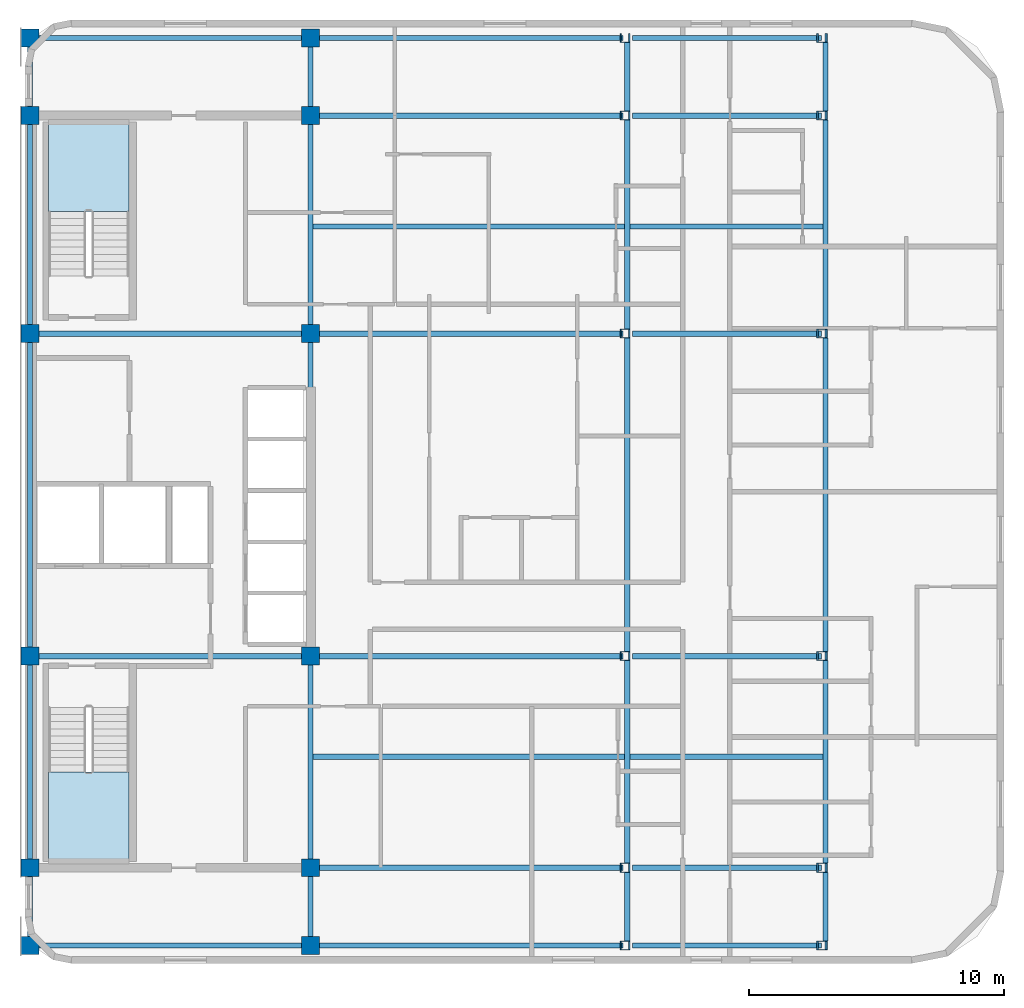
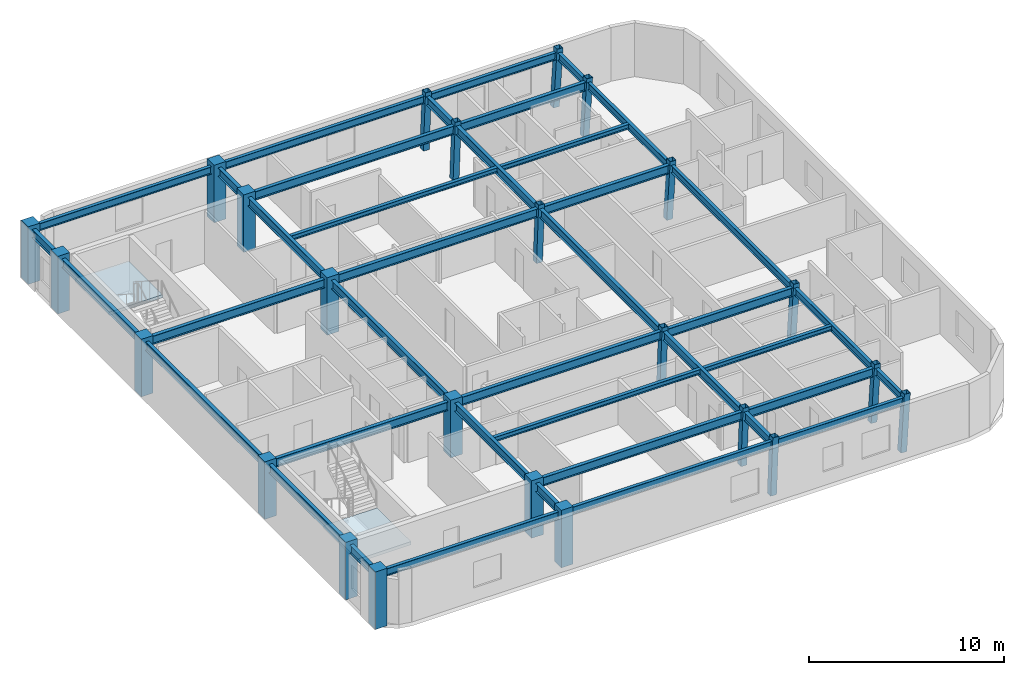
# One storey, part 1 of 7: 40 beams, 24 columns, 2 slabs, 2 elements without a shape of their own.
"""IFC4 building model written with IfcOpenShell, lengths in metres."""

import ifcopenshell
import ifcopenshell.guid

model = None  # the IFC model being written
_history = None  # IfcOwnerHistory: only IFC2X3 demands one
_inside = {}  # id of a spatial element -> (the spatial element, [elements in it])
_under = {}  # id of a project, library or spatial element -> (it, [spatial elements below it])
_declared = {}  # id of a project -> (the project, [libraries it declares])
_typed = {}  # id of a type object -> (the type object, [elements of that type])
_made_of = {}  # id of a material, layer set ... -> (it, [elements and type objects made of it])


def new_model(schema):
    """Start an empty IFC model of exactly this schema.

    Asked for "IFC4X3", IfcOpenShell would pick the latest addendum, in which some entities
    have other attributes; the version numbers below select the first issue.
    IFC2X3 requires an IfcOwnerHistory on every rooted entity: one is made here for all.
    """
    global model, _history
    if schema == "IFC4X3":
        model = ifcopenshell.file(schema_version=(4, 3, 0, 0))
    else:
        model = ifcopenshell.file(schema=schema)
    _inside.clear()
    _under.clear()
    _declared.clear()
    _typed.clear()
    _made_of.clear()
    _history = None
    if model.schema == "IFC2X3":
        org = make("IfcOrganization", Name="unknown")
        user = make(
            "IfcPersonAndOrganization",
            ThePerson=make("IfcPerson", FamilyName="unknown"),
            TheOrganization=org,
        )
        app = make(
            "IfcApplication",
            ApplicationDeveloper=org,
            Version="unknown",
            ApplicationFullName="unknown",
            ApplicationIdentifier="unknown",
        )
        _history = make(
            "IfcOwnerHistory",
            OwningUser=user,
            OwningApplication=app,
            ChangeAction="ADDED",
            CreationDate=0,
        )
    return model


def make(cls, **values):
    """One entity of the class cls with the attributes given. An attribute that is None is left unset."""
    return model.create_entity(
        cls, **{name: value for name, value in values.items() if value is not None}
    )


def rooted(cls, **values):
    """An entity with a GlobalId (a new one), such as an element, a storey or a relation."""
    return make(cls, GlobalId=ifcopenshell.guid.new(), OwnerHistory=_history, **values)


def si_unit(unit_type, name, prefix=None):
    """IfcSIUnit, for example si_unit("LENGTHUNIT", "METRE", prefix="MILLI")."""
    return make("IfcSIUnit", UnitType=unit_type, Prefix=prefix, Name=name)


def assignment(units):
    """IfcUnitAssignment: the units of a project."""
    return None if units is None else make("IfcUnitAssignment", Units=units)


def point(xyz):
    """IfcCartesianPoint."""
    return None if xyz is None else make("IfcCartesianPoint", Coordinates=xyz)


def direction(xyz):
    """IfcDirection."""
    return None if xyz is None else make("IfcDirection", DirectionRatios=xyz)


def frame(location, z_axis=None, x_axis=None):
    """IfcAxis2Placement3D, a coordinate frame: its origin and axes. An axis left out is left unset."""
    return make(
        "IfcAxis2Placement3D",
        Location=point(location),
        Axis=direction(z_axis),
        RefDirection=direction(x_axis),
    )


def frame_2d(location, x_axis=None):
    """IfcAxis2Placement2D, a coordinate frame in the plane: its origin and x axis."""
    return make(
        "IfcAxis2Placement2D", Location=point(location), RefDirection=direction(x_axis)
    )


def origin():
    """The frame at (0, 0, 0) with its axes left unset."""
    return frame((0.0, 0.0, 0.0))


def origin_2d():
    """The frame at (0, 0) in the plane with its x axis left unset."""
    return frame_2d((0.0, 0.0))


def place(relative_to, where):
    """IfcLocalPlacement: puts the frame where relative to a parent placement (None: the world)."""
    return make(
        "IfcLocalPlacement", PlacementRelTo=relative_to, RelativePlacement=where
    )


def context(
    kind, dimensions, precision=None, world=None, true_north=None, identifier=None
):
    """IfcGeometricRepresentationContext, for example the 3D "Model" context."""
    return make(
        "IfcGeometricRepresentationContext",
        ContextIdentifier=identifier,
        ContextType=kind,
        CoordinateSpaceDimension=dimensions,
        Precision=precision,
        WorldCoordinateSystem=world,
        TrueNorth=true_north,
    )


def subcontext(parent, identifier, kind, view, scale=None):
    """IfcGeometricRepresentationSubContext, for example "Body" below "Model"."""
    return make(
        "IfcGeometricRepresentationSubContext",
        ContextIdentifier=identifier,
        ContextType=kind,
        ParentContext=parent,
        TargetScale=scale,
        TargetView=view,
    )


def project(units=None, contexts=None):
    """IfcProject with its units and contexts."""
    return rooted(
        "IfcProject",
        Name="project",
        RepresentationContexts=contexts,
        UnitsInContext=assignment(units),
    )


def spatial(cls, under=None, at=None, **own):
    """A site, building, storey or space (cls), placed at a placement, below another one or the project."""
    s = rooted(cls, ObjectPlacement=at, **own)
    if under is not None:
        _under.setdefault(under.id(), (under, []))[1].append(s)
    return s


def polyline(points):
    """IfcPolyline through the points."""
    return make("IfcPolyline", Points=[point(p) for p in points])


def profile(cls, at=None, kind="AREA", **sizes):
    """A parametric profile (cls). Its sizes go by their IFC names, for example OverallWidth=200.0."""
    return make(cls, ProfileType=kind, Position=at, **sizes)


def rectangle(**sizes):
    """IfcRectangleProfileDef."""
    return profile("IfcRectangleProfileDef", **sizes)


def hollow_rectangle(**sizes):
    """IfcRectangleHollowProfileDef."""
    return profile("IfcRectangleHollowProfileDef", **sizes)


def i_section(**sizes):
    """IfcIShapeProfileDef."""
    return profile("IfcIShapeProfileDef", **sizes)


def outline(outer, holes=None, kind="AREA"):
    """IfcArbitraryClosedProfileDef: a profile drawn as a closed curve; with holes, ...WithVoids."""
    if holes is None:
        return make("IfcArbitraryClosedProfileDef", ProfileType=kind, OuterCurve=outer)
    return make(
        "IfcArbitraryProfileDefWithVoids",
        ProfileType=kind,
        OuterCurve=outer,
        InnerCurves=holes,
    )


def extrude(swept, where, along, depth):
    """IfcExtrudedAreaSolid: the profile swept, set in the frame where, extruded along a direction by depth."""
    return make(
        "IfcExtrudedAreaSolid",
        SweptArea=swept,
        Position=where,
        ExtrudedDirection=direction(along),
        Depth=depth,
    )


def shape(context_of_items, identifier, shape_type, items):
    """IfcShapeRepresentation: the items that make up one representation, for example the "Body"."""
    return make(
        "IfcShapeRepresentation",
        ContextOfItems=context_of_items,
        RepresentationIdentifier=identifier,
        RepresentationType=shape_type,
        Items=items,
    )


def material(Name=None, Category=None):
    """IfcMaterial."""
    return make("IfcMaterial", Name=Name, Category=Category)


def layer(
    of_material, thickness, ventilated=None, Name=None, Category=None, Priority=None
):
    """IfcMaterialLayer: one layer of a wall or slab, of a material (None: an air gap)."""
    return make(
        "IfcMaterialLayer",
        Material=of_material,
        LayerThickness=thickness,
        IsVentilated=ventilated,
        Name=Name,
        Category=Category,
        Priority=Priority,
    )


def layer_set(layers, Name=None):
    """IfcMaterialLayerSet."""
    return make("IfcMaterialLayerSet", MaterialLayers=layers, LayerSetName=Name)


def material_profile(
    of_material, cross_section, Name=None, Category=None, Priority=None
):
    """IfcMaterialProfile: a cross section and its material."""
    return make(
        "IfcMaterialProfile",
        Name=Name,
        Material=of_material,
        Profile=cross_section,
        Priority=Priority,
        Category=Category,
    )


def profile_set(profiles, Name=None, composite=None):
    """IfcMaterialProfileSet."""
    return make(
        "IfcMaterialProfileSet",
        Name=Name,
        MaterialProfiles=profiles,
        CompositeProfile=composite,
    )


def made_of(thing, what):
    """Note that an element or type object is made of a material, layer set ...; save() writes the relation."""
    if what is not None:
        _made_of.setdefault(what.id(), (what, []))[1].append(thing)
    return thing


def type_object(cls, material=None, **own):
    """A type object (cls), such as IfcWallType, which elements share."""
    return made_of(rooted(cls, **own), material)


def element(
    cls,
    number,
    at=None,
    inside=None,
    cuts=None,
    type_object=None,
    material=None,
    context=None,
    identifier="Body",
    shape_type=None,
    held_by="IfcProductDefinitionShape",
    body=None,
    shapes=None,
    **own,
):
    """One element of the class cls, such as IfcWall. Its Tag is "e" and its number.

    at: its placement. inside: the storey or other place that contains it. cuts: it is an
    opening in that element (IfcRelVoidsElement). A single representation is given by context,
    identifier, shape_type and body (its items); several are given by shapes. held_by: the class
    of the entity that holds the representations. save() writes the other relations.
    """
    e = rooted(cls, Tag="e%d" % number, ObjectPlacement=at, **own)
    if body is not None:
        shapes = [shape(context, identifier, shape_type, body)]
    if shapes is not None:
        e.Representation = make(held_by, Representations=shapes)
    if inside is not None:
        _inside.setdefault(inside.id(), (inside, []))[1].append(e)
    if cuts is not None:
        rooted(
            "IfcRelVoidsElement", RelatingBuildingElement=cuts, RelatedOpeningElement=e
        )
    if type_object is not None:
        _typed.setdefault(type_object.id(), (type_object, []))[1].append(e)
    return made_of(e, material)


def aggregate(whole, parts):
    """IfcRelAggregates: a whole, such as a stair, and the parts it consists of."""
    return rooted("IfcRelAggregates", RelatingObject=whole, RelatedObjects=parts)


def save(model, path):
    """Write the relations noted so far, then the file.

    IfcRelAggregates (storeys below a building ...), IfcRelContainedInSpatialStructure (elements
    in a storey), IfcRelDefinesByType, IfcRelAssociatesMaterial and IfcRelDeclares: one each for
    every whole, place, type object, material and project.
    """
    for whole, parts in _under.values():
        aggregate(whole, parts)
    for where, things in _inside.values():
        rooted(
            "IfcRelContainedInSpatialStructure",
            RelatedElements=things,
            RelatingStructure=where,
        )
    for kind, things in _typed.values():
        rooted("IfcRelDefinesByType", RelatedObjects=things, RelatingType=kind)
    for what, things in _made_of.values():
        rooted("IfcRelAssociatesMaterial", RelatedObjects=things, RelatingMaterial=what)
    for by, libraries in _declared.values():
        rooted("IfcRelDeclares", RelatingContext=by, RelatedDefinitions=libraries)
    model.write(path)


model = new_model("IFC4")

# Units and contexts
model_context = context("Model", 3, precision=1e-05, world=origin(), true_north=direction((0.0, 1.0)))
body_context = subcontext(model_context, "Body", "Model", "MODEL_VIEW")
ifc_project = project(units=[si_unit("LENGTHUNIT", "METRE"), si_unit("AREAUNIT", "SQUARE_METRE"), si_unit("VOLUMEUNIT", "CUBIC_METRE"), si_unit("PLANEANGLEUNIT", "RADIAN"), si_unit("MASSUNIT", "GRAM", prefix="KILO")], contexts=[model_context])

# Site, building, storey
site_placement = place(None, origin())
site = spatial("IfcSite", under=ifc_project, at=site_placement, CompositionType="ELEMENT")
building_placement = place(site_placement, origin())
building = spatial("IfcBuilding", under=site, at=building_placement, Name="Ochreholt Gables", CompositionType="ELEMENT")
storey_placement = place(building_placement, frame((0.0, 0.0, 216.60009765625)))
storey = spatial("IfcBuildingStorey", under=building, at=storey_placement, Name="L56", CompositionType="ELEMENT", Elevation=216.60009765625)

# Columns
ifc_material_1 = material(Name="Steel CSA G40.21 350W", Category="steel")
ifc_material_profile_1 = material_profile(ifc_material_1, hollow_rectangle(XDim=0.35595703125, YDim=0.35595703125, WallThickness=0.01611328125, at=origin_2d()), Name="HSS356X356X16")
ifc_profile_set_1 = profile_set([ifc_material_profile_1], Name="Steel CSA G40.21 350W")
column_type_1 = type_object("IfcColumnType", Name="COL-HSS356-RAK", PredefinedType="COLUMN", material=ifc_profile_set_1)
for number, where, z_axis, x_axis, name in (
    (1, (47.51708984375, 9.25, 0.0), (0.034973505036, 0.0, 0.999388239847), (0.0, 1.0, 0.0), "L56 Column EMY2"),
    (2, (47.51708984375, 17.550048828125, 0.0), (0.034973505036, 0.0, 0.999388239847), (0.0, 1.0, 0.0), "L56 Column EMY3"),
    (3, (47.51708984375, 30.199951171875, 0.0), (0.034973505036, 0.0, 0.999388239847), (0.0, 1.0, 0.0), "L56 Column EMY4"),
    (4, (47.51708984375, 38.75, 0.0), (0.034973505036, 0.0, 0.999388239847), (0.0, 1.0, 0.0), "L56 Column EMY5"),
):
    element("IfcColumn", number, at=place(storey_placement, frame(where, z_axis=z_axis, x_axis=x_axis)), inside=storey, type_object=column_type_1, Name=name, PredefinedType="COLUMN", context=body_context, shape_type="SweptSolid", body=[
        extrude(hollow_rectangle(XDim=0.35595703125, YDim=0.35595703125, WallThickness=0.01611328125, at=origin_2d()), origin(), (0.0, 0.0, 1.0), 3.60205078125),
    ])
ifc_material_profile_2 = material_profile(ifc_material_1, hollow_rectangle(XDim=0.35595703125, YDim=0.35595703125, WallThickness=0.01611328125, at=origin_2d()), Name="HSS356X356X16")
ifc_profile_set_2 = profile_set([ifc_material_profile_2], Name="Steel CSA G40.21 350W")
column_type_2 = type_object("IfcColumnType", Name="COL-HSS356-RAKE", PredefinedType="COLUMN", material=ifc_profile_set_2)
for number, where, z_axis, x_axis, name in (
    (5, (47.51708984375, 6.199951171875, 0.0), (0.034973505036, 0.0, 0.999388239847), (0.0, 1.0, 0.0), "L56 Column EMY1"),
    (6, (47.51708984375, 41.800048828125, 0.0), (0.034973505036, 0.0, 0.999388239847), (0.0, 1.0, 0.0), "L56 Column EMY6"),
):
    element("IfcColumn", number, at=place(storey_placement, frame(where, z_axis=z_axis, x_axis=x_axis)), inside=storey, type_object=column_type_2, Name=name, PredefinedType="COLUMN", context=body_context, shape_type="SweptSolid", body=[
        extrude(hollow_rectangle(XDim=0.35595703125, YDim=0.35595703125, WallThickness=0.01611328125, at=origin_2d()), origin(), (0.0, 0.0, 1.0), 3.60205078125),
    ])
for number, where, z_axis, x_axis, name in (
    (7, (55.219482421875, 6.199951171875, 0.0), (0.057955997462, 0.0, 0.998319138531), (0.0, 1.0, 0.0), "L56 Column EEY1"),
    (8, (55.219482421875, 9.25, 0.0), (0.057955997462, 0.0, 0.998319138531), (0.0, 1.0, 0.0), "L56 Column EEY2"),
    (9, (55.219482421875, 17.550048828125, 0.0), (0.057955997462, 0.0, 0.998319138531), (0.0, 1.0, 0.0), "L56 Column EEY3"),
    (10, (55.219482421875, 30.199951171875, 0.0), (0.057955997462, 0.0, 0.998319138531), (0.0, 1.0, 0.0), "L56 Column EEY4"),
    (11, (55.219482421875, 38.75, 0.0), (0.057955997462, 0.0, 0.998319138531), (0.0, 1.0, 0.0), "L56 Column EEY5"),
    (12, (55.219482421875, 41.800048828125, 0.0), (0.057955997462, 0.0, 0.998319138531), (0.0, 1.0, 0.0), "L56 Column EEY6"),
):
    element("IfcColumn", number, at=place(storey_placement, frame(where, z_axis=z_axis, x_axis=x_axis)), inside=storey, type_object=column_type_2, Name=name, PredefinedType="COLUMN", context=body_context, shape_type="SweptSolid", body=[
        extrude(hollow_rectangle(XDim=0.35595703125, YDim=0.35595703125, WallThickness=0.01611328125, at=origin_2d()), origin(), (0.0, 0.0, 1.0), 3.60595703125),
    ])
ifc_material_2 = material(Name="Concrete 50 MPa", Category="concrete")
ifc_material_profile_3 = material_profile(ifc_material_2, rectangle(XDim=0.699951171875, YDim=0.699951171875, at=origin_2d()), Name="RC700X700")
ifc_profile_set_3 = profile_set([ifc_material_profile_3], Name="Concrete 50 MPa")
column_type_3 = type_object("IfcColumnType", Name="COL-RC700-EXT", PredefinedType="COLUMN", material=ifc_profile_set_3)
for number, where, z_axis, x_axis, name in (
    (13, (24.199951171875, 6.199951171875, 0.0), (0.0, 0.0, 1.0), (1.0, 0.0, 0.0), "L56 Column C1Y1"),
    (14, (24.199951171875, 9.25, 0.0), (0.0, 0.0, 1.0), (1.0, 0.0, 0.0), "L56 Column C1Y2"),
    (15, (24.199951171875, 17.550048828125, 0.0), (0.0, 0.0, 1.0), (1.0, 0.0, 0.0), "L56 Column C1Y3"),
    (16, (24.199951171875, 30.199951171875, 0.0), (0.0, 0.0, 1.0), (1.0, 0.0, 0.0), "L56 Column C1Y4"),
    (17, (24.199951171875, 38.75, 0.0), (0.0, 0.0, 1.0), (1.0, 0.0, 0.0), "L56 Column C1Y5"),
    (18, (24.199951171875, 41.800048828125, 0.0), (0.0, 0.0, 1.0), (1.0, 0.0, 0.0), "L56 Column C1Y6"),
    (19, (35.199951171875, 6.199951171875, 0.0), (0.0, 0.0, 1.0), (1.0, 0.0, 0.0), "L56 Column C2Y1"),
    (20, (35.199951171875, 41.800048828125, 0.0), (0.0, 0.0, 1.0), (1.0, 0.0, 0.0), "L56 Column C2Y6"),
):
    element("IfcColumn", number, at=place(storey_placement, frame(where, z_axis=z_axis, x_axis=x_axis)), inside=storey, type_object=column_type_3, Name=name, PredefinedType="COLUMN", context=body_context, shape_type="SweptSolid", body=[
        extrude(rectangle(XDim=0.699951171875, YDim=0.699951171875, at=origin_2d()), origin(), (0.0, 0.0, 1.0), 3.599853515625),
    ])
ifc_material_profile_4 = material_profile(ifc_material_2, rectangle(XDim=0.699951171875, YDim=0.699951171875, at=origin_2d()), Name="RC700X700")
ifc_profile_set_4 = profile_set([ifc_material_profile_4], Name="Concrete 50 MPa")
column_type_4 = type_object("IfcColumnType", Name="COL-RC700-INT", PredefinedType="COLUMN", material=ifc_profile_set_4)
for number, where, z_axis, x_axis, name in (
    (21, (35.199951171875, 9.25, 0.0), (0.0, 0.0, 1.0), (1.0, 0.0, 0.0), "L56 Column C2Y2"),
    (22, (35.199951171875, 17.550048828125, 0.0), (0.0, 0.0, 1.0), (1.0, 0.0, 0.0), "L56 Column C2Y3"),
    (23, (35.199951171875, 30.199951171875, 0.0), (0.0, 0.0, 1.0), (1.0, 0.0, 0.0), "L56 Column C2Y4"),
    (24, (35.199951171875, 38.75, 0.0), (0.0, 0.0, 1.0), (1.0, 0.0, 0.0), "L56 Column C2Y5"),
):
    element("IfcColumn", number, at=place(storey_placement, frame(where, z_axis=z_axis, x_axis=x_axis)), inside=storey, type_object=column_type_4, Name=name, PredefinedType="COLUMN", context=body_context, shape_type="SweptSolid", body=[
        extrude(rectangle(XDim=0.699951171875, YDim=0.699951171875, at=origin_2d()), origin(), (0.0, 0.0, 1.0), 3.599853515625),
    ])

# Beams
ifc_material_profile_5 = material_profile(ifc_material_1, i_section(OverallWidth=0.2109375, OverallDepth=0.5390625, WebThickness=0.01171875, FlangeThickness=0.018798828125, at=origin_2d()), Name="W530X109")
ifc_profile_set_5 = profile_set([ifc_material_profile_5], Name="Steel CSA G40.21 350W")
beam_type_1 = type_object("IfcBeamType", Name="BM-G-W530A", PredefinedType="BEAM", material=ifc_profile_set_5)
beam_1_placement = place(storey_placement, frame((35.549560546875, 9.25, 3.09033203125), z_axis=(1.0, 0.0, 0.0), x_axis=(0.0, 1.0, 0.0)))
element("IfcBeam", 25, at=beam_1_placement, inside=storey, type_object=beam_type_1, Name="L56 Beam TBG-L56-C2EM-Y2", PredefinedType="BEAM", context=body_context, shape_type="SweptSolid", body=[
    extrude(i_section(OverallWidth=0.2109375, OverallDepth=0.5390625, WebThickness=0.01171875, FlangeThickness=0.018798828125, at=origin_2d()), origin(), (0.0, 0.0, 1.0), 11.915771484375),
])
beam_2_placement = place(storey_placement, frame((47.820556640625, 9.25, 3.09033203125), z_axis=(1.0, 0.0, 0.0), x_axis=(0.0, 1.0, 0.0)))
element("IfcBeam", 26, at=beam_2_placement, inside=storey, type_object=beam_type_1, Name="L56 Beam TBG-L56-EMEE-Y2", PredefinedType="BEAM", context=body_context, shape_type="SweptSolid", body=[
    extrude(i_section(OverallWidth=0.2109375, OverallDepth=0.5390625, WebThickness=0.01171875, FlangeThickness=0.018798828125, at=origin_2d()), origin(), (0.0, 0.0, 1.0), 7.43017578125),
])
beam_3_placement = place(storey_placement, frame((24.549560546875, 17.550048828125, 3.09033203125), z_axis=(1.0, 0.0, 0.0), x_axis=(0.0, 1.0, 0.0)))
element("IfcBeam", 27, at=beam_3_placement, inside=storey, type_object=beam_type_1, Name="L56 Beam TBG-L56-C1C2-Y3", PredefinedType="BEAM", context=body_context, shape_type="SweptSolid", body=[
    extrude(i_section(OverallWidth=0.2109375, OverallDepth=0.5390625, WebThickness=0.01171875, FlangeThickness=0.018798828125, at=origin_2d()), origin(), (0.0, 0.0, 1.0), 10.30078125),
])
beam_4_placement = place(storey_placement, frame((35.549560546875, 17.550048828125, 3.09033203125), z_axis=(1.0, 0.0, 0.0), x_axis=(0.0, 1.0, 0.0)))
element("IfcBeam", 28, at=beam_4_placement, inside=storey, type_object=beam_type_1, Name="L56 Beam TBG-L56-C2EM-Y3", PredefinedType="BEAM", context=body_context, shape_type="SweptSolid", body=[
    extrude(i_section(OverallWidth=0.2109375, OverallDepth=0.5390625, WebThickness=0.01171875, FlangeThickness=0.018798828125, at=origin_2d()), origin(), (0.0, 0.0, 1.0), 11.915771484375),
])
beam_5_placement = place(storey_placement, frame((47.820556640625, 17.550048828125, 3.09033203125), z_axis=(1.0, 0.0, 0.0), x_axis=(0.0, 1.0, 0.0)))
element("IfcBeam", 29, at=beam_5_placement, inside=storey, type_object=beam_type_1, Name="L56 Beam TBG-L56-EMEE-Y3", PredefinedType="BEAM", context=body_context, shape_type="SweptSolid", body=[
    extrude(i_section(OverallWidth=0.2109375, OverallDepth=0.5390625, WebThickness=0.01171875, FlangeThickness=0.018798828125, at=origin_2d()), origin(), (0.0, 0.0, 1.0), 7.43017578125),
])
beam_6_placement = place(storey_placement, frame((24.549560546875, 30.199951171875, 3.09033203125), z_axis=(1.0, 0.0, 0.0), x_axis=(0.0, 1.0, 0.0)))
element("IfcBeam", 30, at=beam_6_placement, inside=storey, type_object=beam_type_1, Name="L56 Beam TBG-L56-C1C2-Y4", PredefinedType="BEAM", context=body_context, shape_type="SweptSolid", body=[
    extrude(i_section(OverallWidth=0.2109375, OverallDepth=0.5390625, WebThickness=0.01171875, FlangeThickness=0.018798828125, at=origin_2d()), origin(), (0.0, 0.0, 1.0), 10.30078125),
])
beam_7_placement = place(storey_placement, frame((35.549560546875, 30.199951171875, 3.09033203125), z_axis=(1.0, 0.0, 0.0), x_axis=(0.0, 1.0, 0.0)))
element("IfcBeam", 31, at=beam_7_placement, inside=storey, type_object=beam_type_1, Name="L56 Beam TBG-L56-C2EM-Y4", PredefinedType="BEAM", context=body_context, shape_type="SweptSolid", body=[
    extrude(i_section(OverallWidth=0.2109375, OverallDepth=0.5390625, WebThickness=0.01171875, FlangeThickness=0.018798828125, at=origin_2d()), origin(), (0.0, 0.0, 1.0), 11.915771484375),
])
beam_8_placement = place(storey_placement, frame((47.820556640625, 30.199951171875, 3.09033203125), z_axis=(1.0, 0.0, 0.0), x_axis=(0.0, 1.0, 0.0)))
element("IfcBeam", 32, at=beam_8_placement, inside=storey, type_object=beam_type_1, Name="L56 Beam TBG-L56-EMEE-Y4", PredefinedType="BEAM", context=body_context, shape_type="SweptSolid", body=[
    extrude(i_section(OverallWidth=0.2109375, OverallDepth=0.5390625, WebThickness=0.01171875, FlangeThickness=0.018798828125, at=origin_2d()), origin(), (0.0, 0.0, 1.0), 7.43017578125),
])
beam_9_placement = place(storey_placement, frame((35.549560546875, 38.75, 3.09033203125), z_axis=(1.0, 0.0, 0.0), x_axis=(0.0, 1.0, 0.0)))
element("IfcBeam", 33, at=beam_9_placement, inside=storey, type_object=beam_type_1, Name="L56 Beam TBG-L56-C2EM-Y5", PredefinedType="BEAM", context=body_context, shape_type="SweptSolid", body=[
    extrude(i_section(OverallWidth=0.2109375, OverallDepth=0.5390625, WebThickness=0.01171875, FlangeThickness=0.018798828125, at=origin_2d()), origin(), (0.0, 0.0, 1.0), 11.915771484375),
])
beam_10_placement = place(storey_placement, frame((47.820556640625, 38.75, 3.09033203125), z_axis=(1.0, 0.0, 0.0), x_axis=(0.0, 1.0, 0.0)))
element("IfcBeam", 34, at=beam_10_placement, inside=storey, type_object=beam_type_1, Name="L56 Beam TBG-L56-EMEE-Y5", PredefinedType="BEAM", context=body_context, shape_type="SweptSolid", body=[
    extrude(i_section(OverallWidth=0.2109375, OverallDepth=0.5390625, WebThickness=0.01171875, FlangeThickness=0.018798828125, at=origin_2d()), origin(), (0.0, 0.0, 1.0), 7.43017578125),
])
beam_11_placement = place(storey_placement, frame((24.199951171875, 6.549560546875, 3.09033203125), z_axis=(0.0, 1.0, 0.0), x_axis=(-1.0, 0.0, 0.0)))
element("IfcBeam", 35, at=beam_11_placement, inside=storey, type_object=beam_type_1, Name="L56 Beam TBN-L56-C1-Y1Y2", PredefinedType="BEAM", context=body_context, shape_type="SweptSolid", body=[
    extrude(i_section(OverallWidth=0.2109375, OverallDepth=0.5390625, WebThickness=0.01171875, FlangeThickness=0.018798828125, at=origin_2d()), origin(), (0.0, 0.0, 1.0), 2.350830078125),
])
beam_12_placement = place(storey_placement, frame((24.199951171875, 9.599609375, 3.09033203125), z_axis=(0.0, 1.0, 0.0), x_axis=(-1.0, 0.0, 0.0)))
element("IfcBeam", 36, at=beam_12_placement, inside=storey, type_object=beam_type_1, Name="L56 Beam TBN-L56-C1-Y2Y3", PredefinedType="BEAM", context=body_context, shape_type="SweptSolid", body=[
    extrude(i_section(OverallWidth=0.2109375, OverallDepth=0.5390625, WebThickness=0.01171875, FlangeThickness=0.018798828125, at=origin_2d()), origin(), (0.0, 0.0, 1.0), 7.600830078125),
])
beam_13_placement = place(storey_placement, frame((24.199951171875, 17.899658203125, 3.09033203125), z_axis=(0.0, 1.0, 0.0), x_axis=(-1.0, 0.0, 0.0)))
element("IfcBeam", 37, at=beam_13_placement, inside=storey, type_object=beam_type_1, Name="L56 Beam TBN-L56-C1-Y3Y4", PredefinedType="BEAM", context=body_context, shape_type="SweptSolid", body=[
    extrude(i_section(OverallWidth=0.2109375, OverallDepth=0.5390625, WebThickness=0.01171875, FlangeThickness=0.018798828125, at=origin_2d()), origin(), (0.0, 0.0, 1.0), 11.95068359375),
])
beam_14_placement = place(storey_placement, frame((24.199951171875, 30.549560546875, 3.09033203125), z_axis=(0.0, 1.0, 0.0), x_axis=(-1.0, 0.0, 0.0)))
element("IfcBeam", 38, at=beam_14_placement, inside=storey, type_object=beam_type_1, Name="L56 Beam TBN-L56-C1-Y4Y5", PredefinedType="BEAM", context=body_context, shape_type="SweptSolid", body=[
    extrude(i_section(OverallWidth=0.2109375, OverallDepth=0.5390625, WebThickness=0.01171875, FlangeThickness=0.018798828125, at=origin_2d()), origin(), (0.0, 0.0, 1.0), 7.850830078125),
])
for number, where, z_axis, x_axis, name in (
    (39, (24.199951171875, 39.099609375, 3.09033203125), (0.0, 1.0, 0.0), (-1.0, 0.0, 0.0), "L56 Beam TBN-L56-C1-Y5Y6"),
    (40, (35.199951171875, 6.549560546875, 3.09033203125), (0.0, 1.0, 0.0), (-1.0, 0.0, 0.0), "L56 Beam TBN-L56-C2-Y1Y2"),
):
    element("IfcBeam", number, at=place(storey_placement, frame(where, z_axis=z_axis, x_axis=x_axis)), inside=storey, type_object=beam_type_1, Name=name, PredefinedType="BEAM", context=body_context, shape_type="SweptSolid", body=[
        extrude(i_section(OverallWidth=0.2109375, OverallDepth=0.5390625, WebThickness=0.01171875, FlangeThickness=0.018798828125, at=origin_2d()), origin(), (0.0, 0.0, 1.0), 2.350830078125),
    ])
beam_15_placement = place(storey_placement, frame((35.199951171875, 9.599609375, 3.09033203125), z_axis=(0.0, 1.0, 0.0), x_axis=(-1.0, 0.0, 0.0)))
element("IfcBeam", 41, at=beam_15_placement, inside=storey, type_object=beam_type_1, Name="L56 Beam TBN-L56-C2-Y2Y3", PredefinedType="BEAM", context=body_context, shape_type="SweptSolid", body=[
    extrude(i_section(OverallWidth=0.2109375, OverallDepth=0.5390625, WebThickness=0.01171875, FlangeThickness=0.018798828125, at=origin_2d()), origin(), (0.0, 0.0, 1.0), 7.600830078125),
])
beam_16_placement = place(storey_placement, frame((35.199951171875, 17.899658203125, 3.09033203125), z_axis=(0.0, 1.0, 0.0), x_axis=(-1.0, 0.0, 0.0)))
element("IfcBeam", 42, at=beam_16_placement, inside=storey, type_object=beam_type_1, Name="L56 Beam TBN-L56-C2-Y3Y4", PredefinedType="BEAM", context=body_context, shape_type="SweptSolid", body=[
    extrude(i_section(OverallWidth=0.2109375, OverallDepth=0.5390625, WebThickness=0.01171875, FlangeThickness=0.018798828125, at=origin_2d()), origin(), (0.0, 0.0, 1.0), 11.95068359375),
])
beam_17_placement = place(storey_placement, frame((35.199951171875, 30.549560546875, 3.09033203125), z_axis=(0.0, 1.0, 0.0), x_axis=(-1.0, 0.0, 0.0)))
element("IfcBeam", 43, at=beam_17_placement, inside=storey, type_object=beam_type_1, Name="L56 Beam TBN-L56-C2-Y4Y5", PredefinedType="BEAM", context=body_context, shape_type="SweptSolid", body=[
    extrude(i_section(OverallWidth=0.2109375, OverallDepth=0.5390625, WebThickness=0.01171875, FlangeThickness=0.018798828125, at=origin_2d()), origin(), (0.0, 0.0, 1.0), 7.850830078125),
])
beam_18_placement = place(storey_placement, frame((35.199951171875, 39.099609375, 3.09033203125), z_axis=(0.0, 1.0, 0.0), x_axis=(-1.0, 0.0, 0.0)))
element("IfcBeam", 44, at=beam_18_placement, inside=storey, type_object=beam_type_1, Name="L56 Beam TBN-L56-C2-Y5Y6", PredefinedType="BEAM", context=body_context, shape_type="SweptSolid", body=[
    extrude(i_section(OverallWidth=0.2109375, OverallDepth=0.5390625, WebThickness=0.01171875, FlangeThickness=0.018798828125, at=origin_2d()), origin(), (0.0, 0.0, 1.0), 2.350830078125),
])
beam_19_placement = place(storey_placement, frame((47.625732421875, 6.377685546875, 3.09033203125), z_axis=(0.0, 1.0, 0.0), x_axis=(-1.0, 0.0, 0.0)))
element("IfcBeam", 45, at=beam_19_placement, inside=storey, type_object=beam_type_1, Name="L56 Beam TBN-L56-EM-Y1Y2", PredefinedType="BEAM", context=body_context, shape_type="SweptSolid", body=[
    extrude(i_section(OverallWidth=0.2109375, OverallDepth=0.5390625, WebThickness=0.01171875, FlangeThickness=0.018798828125, at=origin_2d()), origin(), (0.0, 0.0, 1.0), 2.69482421875),
])
beam_20_placement = place(storey_placement, frame((47.625732421875, 9.427490234375, 3.09033203125), z_axis=(0.0, 1.0, 0.0), x_axis=(-1.0, 0.0, 0.0)))
element("IfcBeam", 46, at=beam_20_placement, inside=storey, type_object=beam_type_1, Name="L56 Beam TBN-L56-EM-Y2Y3", PredefinedType="BEAM", context=body_context, shape_type="SweptSolid", body=[
    extrude(i_section(OverallWidth=0.2109375, OverallDepth=0.5390625, WebThickness=0.01171875, FlangeThickness=0.018798828125, at=origin_2d()), origin(), (0.0, 0.0, 1.0), 7.94482421875),
])
beam_21_placement = place(storey_placement, frame((47.625732421875, 17.7275390625, 3.09033203125), z_axis=(0.0, 1.0, 0.0), x_axis=(-1.0, 0.0, 0.0)))
element("IfcBeam", 47, at=beam_21_placement, inside=storey, type_object=beam_type_1, Name="L56 Beam TBN-L56-EM-Y3Y4", PredefinedType="BEAM", context=body_context, shape_type="SweptSolid", body=[
    extrude(i_section(OverallWidth=0.2109375, OverallDepth=0.5390625, WebThickness=0.01171875, FlangeThickness=0.018798828125, at=origin_2d()), origin(), (0.0, 0.0, 1.0), 12.294921875),
])
beam_22_placement = place(storey_placement, frame((47.625732421875, 30.377685546875, 3.09033203125), z_axis=(0.0, 1.0, 0.0), x_axis=(-1.0, 0.0, 0.0)))
element("IfcBeam", 48, at=beam_22_placement, inside=storey, type_object=beam_type_1, Name="L56 Beam TBN-L56-EM-Y4Y5", PredefinedType="BEAM", context=body_context, shape_type="SweptSolid", body=[
    extrude(i_section(OverallWidth=0.2109375, OverallDepth=0.5390625, WebThickness=0.01171875, FlangeThickness=0.018798828125, at=origin_2d()), origin(), (0.0, 0.0, 1.0), 8.19482421875),
])
beam_23_placement = place(storey_placement, frame((47.625732421875, 38.927490234375, 3.09033203125), z_axis=(0.0, 1.0, 0.0), x_axis=(-1.0, 0.0, 0.0)))
element("IfcBeam", 49, at=beam_23_placement, inside=storey, type_object=beam_type_1, Name="L56 Beam TBN-L56-EM-Y5Y6", PredefinedType="BEAM", context=body_context, shape_type="SweptSolid", body=[
    extrude(i_section(OverallWidth=0.2109375, OverallDepth=0.5390625, WebThickness=0.01171875, FlangeThickness=0.018798828125, at=origin_2d()), origin(), (0.0, 0.0, 1.0), 2.69482421875),
])
ifc_material_profile_6 = material_profile(ifc_material_1, i_section(OverallWidth=0.202880859375, OverallDepth=0.302978515625, WebThickness=0.007568359375, FlangeThickness=0.01318359375, at=origin_2d()), Name="W310X60")
ifc_profile_set_6 = profile_set([ifc_material_profile_6], Name="Steel CSA G40.21 350W")
beam_type_2 = type_object("IfcBeamType", Name="BM-J-W310", PredefinedType="JOIST", material=ifc_profile_set_6)
beam_24_placement = place(storey_placement, frame((35.30517578125, 13.60009765625, 3.20849609375), z_axis=(1.0, 0.0, 0.0), x_axis=(0.0, 1.0, 0.0)))
element("IfcBeam", 50, at=beam_24_placement, inside=storey, type_object=beam_type_2, Name="L56 Beam TBJ-L56-J1-C2EM", PredefinedType="JOIST", context=body_context, shape_type="SweptSolid", body=[
    extrude(i_section(OverallWidth=0.202880859375, OverallDepth=0.302978515625, WebThickness=0.007568359375, FlangeThickness=0.01318359375, at=origin_2d()), origin(), (0.0, 0.0, 1.0), 12.215576171875),
])
beam_25_placement = place(storey_placement, frame((47.73095703125, 13.60009765625, 3.20849609375), z_axis=(1.0, 0.0, 0.0), x_axis=(0.0, 1.0, 0.0)))
element("IfcBeam", 51, at=beam_25_placement, inside=storey, type_object=beam_type_2, Name="L56 Beam TBJ-L56-J1-EMEE", PredefinedType="JOIST", context=body_context, shape_type="SweptSolid", body=[
    extrude(i_section(OverallWidth=0.202880859375, OverallDepth=0.302978515625, WebThickness=0.007568359375, FlangeThickness=0.01318359375, at=origin_2d()), origin(), (0.0, 0.0, 1.0), 7.573486328125),
])
beam_26_placement = place(storey_placement, frame((35.30517578125, 34.39990234375, 3.20849609375), z_axis=(1.0, 0.0, 0.0), x_axis=(0.0, 1.0, 0.0)))
element("IfcBeam", 52, at=beam_26_placement, inside=storey, type_object=beam_type_2, Name="L56 Beam TBJ-L56-J2-C2EM", PredefinedType="JOIST", context=body_context, shape_type="SweptSolid", body=[
    extrude(i_section(OverallWidth=0.202880859375, OverallDepth=0.302978515625, WebThickness=0.007568359375, FlangeThickness=0.01318359375, at=origin_2d()), origin(), (0.0, 0.0, 1.0), 12.215576171875),
])
beam_27_placement = place(storey_placement, frame((47.73095703125, 34.39990234375, 3.20849609375), z_axis=(1.0, 0.0, 0.0), x_axis=(0.0, 1.0, 0.0)))
element("IfcBeam", 53, at=beam_27_placement, inside=storey, type_object=beam_type_2, Name="L56 Beam TBJ-L56-J2-EMEE", PredefinedType="JOIST", context=body_context, shape_type="SweptSolid", body=[
    extrude(i_section(OverallWidth=0.202880859375, OverallDepth=0.302978515625, WebThickness=0.007568359375, FlangeThickness=0.01318359375, at=origin_2d()), origin(), (0.0, 0.0, 1.0), 7.573486328125),
])
ifc_material_profile_7 = material_profile(ifc_material_1, i_section(OverallWidth=0.19189453125, OverallDepth=0.462890625, WebThickness=0.010498046875, FlangeThickness=0.017578125, at=origin_2d()), Name="W460X89")
ifc_profile_set_7 = profile_set([ifc_material_profile_7], Name="Steel CSA G40.21 350W")
beam_type_3 = type_object("IfcBeamType", Name="BM-SP-W460A", PredefinedType="SPANDREL", material=ifc_profile_set_7)
beam_28_placement = place(storey_placement, frame((24.549560546875, 6.199951171875, 3.12841796875), z_axis=(1.0, 0.0, 0.0), x_axis=(0.0, 1.0, 0.0)))
element("IfcBeam", 54, at=beam_28_placement, inside=storey, type_object=beam_type_3, Name="L56 Beam TBG-L56-C1C2-Y1", PredefinedType="SPANDREL", context=body_context, shape_type="SweptSolid", body=[
    extrude(i_section(OverallWidth=0.19189453125, OverallDepth=0.462890625, WebThickness=0.010498046875, FlangeThickness=0.017578125, at=origin_2d()), origin(), (0.0, 0.0, 1.0), 10.30078125),
])
beam_29_placement = place(storey_placement, frame((35.549560546875, 6.199951171875, 3.12841796875), z_axis=(1.0, 0.0, 0.0), x_axis=(0.0, 1.0, 0.0)))
element("IfcBeam", 55, at=beam_29_placement, inside=storey, type_object=beam_type_3, Name="L56 Beam TBG-L56-C2EM-Y1", PredefinedType="SPANDREL", context=body_context, shape_type="SweptSolid", body=[
    extrude(i_section(OverallWidth=0.19189453125, OverallDepth=0.462890625, WebThickness=0.010498046875, FlangeThickness=0.017578125, at=origin_2d()), origin(), (0.0, 0.0, 1.0), 11.915771484375),
])
beam_30_placement = place(storey_placement, frame((47.820556640625, 6.199951171875, 3.12841796875), z_axis=(1.0, 0.0, 0.0), x_axis=(0.0, 1.0, 0.0)))
element("IfcBeam", 56, at=beam_30_placement, inside=storey, type_object=beam_type_3, Name="L56 Beam TBG-L56-EMEE-Y1", PredefinedType="SPANDREL", context=body_context, shape_type="SweptSolid", body=[
    extrude(i_section(OverallWidth=0.19189453125, OverallDepth=0.462890625, WebThickness=0.010498046875, FlangeThickness=0.017578125, at=origin_2d()), origin(), (0.0, 0.0, 1.0), 7.43017578125),
])
beam_31_placement = place(storey_placement, frame((24.549560546875, 41.800048828125, 3.12841796875), z_axis=(1.0, 0.0, 0.0), x_axis=(0.0, 1.0, 0.0)))
element("IfcBeam", 57, at=beam_31_placement, inside=storey, type_object=beam_type_3, Name="L56 Beam TBG-L56-C1C2-Y6", PredefinedType="SPANDREL", context=body_context, shape_type="SweptSolid", body=[
    extrude(i_section(OverallWidth=0.19189453125, OverallDepth=0.462890625, WebThickness=0.010498046875, FlangeThickness=0.017578125, at=origin_2d()), origin(), (0.0, 0.0, 1.0), 10.30078125),
])
beam_32_placement = place(storey_placement, frame((35.549560546875, 41.800048828125, 3.12841796875), z_axis=(1.0, 0.0, 0.0), x_axis=(0.0, 1.0, 0.0)))
element("IfcBeam", 58, at=beam_32_placement, inside=storey, type_object=beam_type_3, Name="L56 Beam TBG-L56-C2EM-Y6", PredefinedType="SPANDREL", context=body_context, shape_type="SweptSolid", body=[
    extrude(i_section(OverallWidth=0.19189453125, OverallDepth=0.462890625, WebThickness=0.010498046875, FlangeThickness=0.017578125, at=origin_2d()), origin(), (0.0, 0.0, 1.0), 11.915771484375),
])
beam_33_placement = place(storey_placement, frame((47.820556640625, 41.800048828125, 3.12841796875), z_axis=(1.0, 0.0, 0.0), x_axis=(0.0, 1.0, 0.0)))
element("IfcBeam", 59, at=beam_33_placement, inside=storey, type_object=beam_type_3, Name="L56 Beam TBG-L56-EMEE-Y6", PredefinedType="SPANDREL", context=body_context, shape_type="SweptSolid", body=[
    extrude(i_section(OverallWidth=0.19189453125, OverallDepth=0.462890625, WebThickness=0.010498046875, FlangeThickness=0.017578125, at=origin_2d()), origin(), (0.0, 0.0, 1.0), 7.43017578125),
])
beam_34_placement = place(storey_placement, frame((55.39990234375, 6.377685546875, 3.12841796875), z_axis=(0.0, 1.0, 0.0), x_axis=(-1.0, 0.0, 0.0)))
element("IfcBeam", 60, at=beam_34_placement, inside=storey, type_object=beam_type_3, Name="L56 Beam TBN-L56-EE-Y1Y2", PredefinedType="SPANDREL", context=body_context, shape_type="SweptSolid", body=[
    extrude(i_section(OverallWidth=0.19189453125, OverallDepth=0.462890625, WebThickness=0.010498046875, FlangeThickness=0.017578125, at=origin_2d()), origin(), (0.0, 0.0, 1.0), 2.69482421875),
])
beam_35_placement = place(storey_placement, frame((55.39990234375, 9.427490234375, 3.12841796875), z_axis=(0.0, 1.0, 0.0), x_axis=(-1.0, 0.0, 0.0)))
element("IfcBeam", 61, at=beam_35_placement, inside=storey, type_object=beam_type_3, Name="L56 Beam TBN-L56-EE-Y2Y3", PredefinedType="SPANDREL", context=body_context, shape_type="SweptSolid", body=[
    extrude(i_section(OverallWidth=0.19189453125, OverallDepth=0.462890625, WebThickness=0.010498046875, FlangeThickness=0.017578125, at=origin_2d()), origin(), (0.0, 0.0, 1.0), 7.94482421875),
])
beam_36_placement = place(storey_placement, frame((55.39990234375, 17.7275390625, 3.12841796875), z_axis=(0.0, 1.0, 0.0), x_axis=(-1.0, 0.0, 0.0)))
element("IfcBeam", 62, at=beam_36_placement, inside=storey, type_object=beam_type_3, Name="L56 Beam TBN-L56-EE-Y3Y4", PredefinedType="SPANDREL", context=body_context, shape_type="SweptSolid", body=[
    extrude(i_section(OverallWidth=0.19189453125, OverallDepth=0.462890625, WebThickness=0.010498046875, FlangeThickness=0.017578125, at=origin_2d()), origin(), (0.0, 0.0, 1.0), 12.294921875),
])
beam_37_placement = place(storey_placement, frame((55.39990234375, 30.377685546875, 3.12841796875), z_axis=(0.0, 1.0, 0.0), x_axis=(-1.0, 0.0, 0.0)))
element("IfcBeam", 63, at=beam_37_placement, inside=storey, type_object=beam_type_3, Name="L56 Beam TBN-L56-EE-Y4Y5", PredefinedType="SPANDREL", context=body_context, shape_type="SweptSolid", body=[
    extrude(i_section(OverallWidth=0.19189453125, OverallDepth=0.462890625, WebThickness=0.010498046875, FlangeThickness=0.017578125, at=origin_2d()), origin(), (0.0, 0.0, 1.0), 8.19482421875),
])
beam_38_placement = place(storey_placement, frame((55.39990234375, 38.927490234375, 3.12841796875), z_axis=(0.0, 1.0, 0.0), x_axis=(-1.0, 0.0, 0.0)))
element("IfcBeam", 64, at=beam_38_placement, inside=storey, type_object=beam_type_3, Name="L56 Beam TBN-L56-EE-Y5Y6", PredefinedType="SPANDREL", context=body_context, shape_type="SweptSolid", body=[
    extrude(i_section(OverallWidth=0.19189453125, OverallDepth=0.462890625, WebThickness=0.010498046875, FlangeThickness=0.017578125, at=origin_2d()), origin(), (0.0, 0.0, 1.0), 2.69482421875),
])

# Stair, slab
ifc_material_3 = material(Name="Concrete 40 MPa", Category="concrete")
stair_type_1 = type_object("IfcStairType", Name="STAIR-CORE-ST-1", PredefinedType="HALF_TURN_STAIR", material=ifc_material_3)
stair_1_placement = place(storey_placement, origin())
stair_1 = element("IfcStair", 65, at=stair_1_placement, inside=storey, type_object=stair_type_1, Name="L56 Core Exit Stair 1", PredefinedType="HALF_TURN_STAIR")
ifc_layer = layer(ifc_material_3, 0.199951171875, Name="Concrete 40 MPa")
ifc_layer_set = layer_set([ifc_layer], Name="Concrete 40 MPa")
slab_type = type_object("IfcSlabType", Name="LANDING-RC200", PredefinedType="LANDING", material=ifc_layer_set)
slab_1_placement = place(storey_placement, frame((0.0, 0.0, 1.599853515625)))
slab_1 = element("IfcSlab", 66, at=slab_1_placement, type_object=slab_type, Name="ST-1 landing 1", PredefinedType="LANDING", context=body_context, shape_type="SweptSolid", body=[
    extrude(outline(polyline([(24.919921875, 13.001953125), (24.919921875, 9.52001953125), (28.080078125, 9.52001953125), (28.080078125, 13.001953125), (24.919921875, 13.001953125)])), origin(), (0.0, 0.0, 1.0), 0.199951171875),
])
aggregate(stair_1, [slab_1])

stair_type_2 = type_object("IfcStairType", Name="STAIR-CORE-ST-2", PredefinedType="HALF_TURN_STAIR", material=ifc_material_3)
stair_2_placement = place(storey_placement, origin())
stair_2 = element("IfcStair", 67, at=stair_2_placement, inside=storey, type_object=stair_type_2, Name="L56 Core Exit Stair 2", PredefinedType="HALF_TURN_STAIR")
slab_2_placement = place(storey_placement, frame((0.0, 0.0, 1.599853515625)))
slab_2 = element("IfcSlab", 68, at=slab_2_placement, type_object=slab_type, Name="ST-2 landing 1", PredefinedType="LANDING", context=body_context, shape_type="SweptSolid", body=[
    extrude(outline(polyline([(28.080078125, 34.998046875), (28.080078125, 38.47998046875), (24.919921875, 38.47998046875), (24.919921875, 34.998046875), (28.080078125, 34.998046875)])), origin(), (0.0, 0.0, 1.0), 0.199951171875),
])
aggregate(stair_2, [slab_2])

save(model, "model.ifc")
